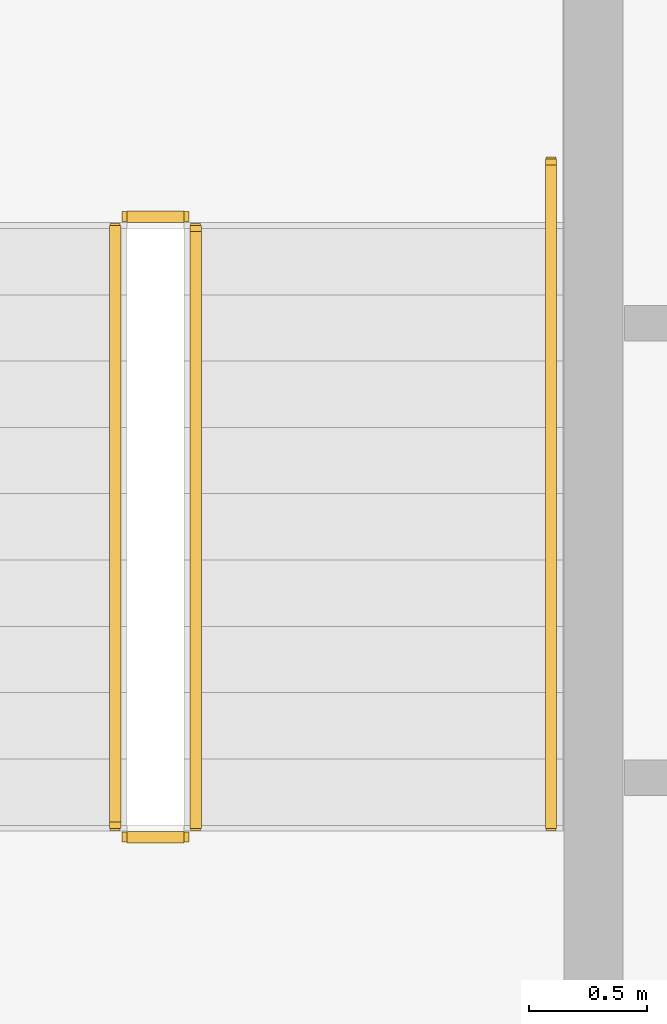
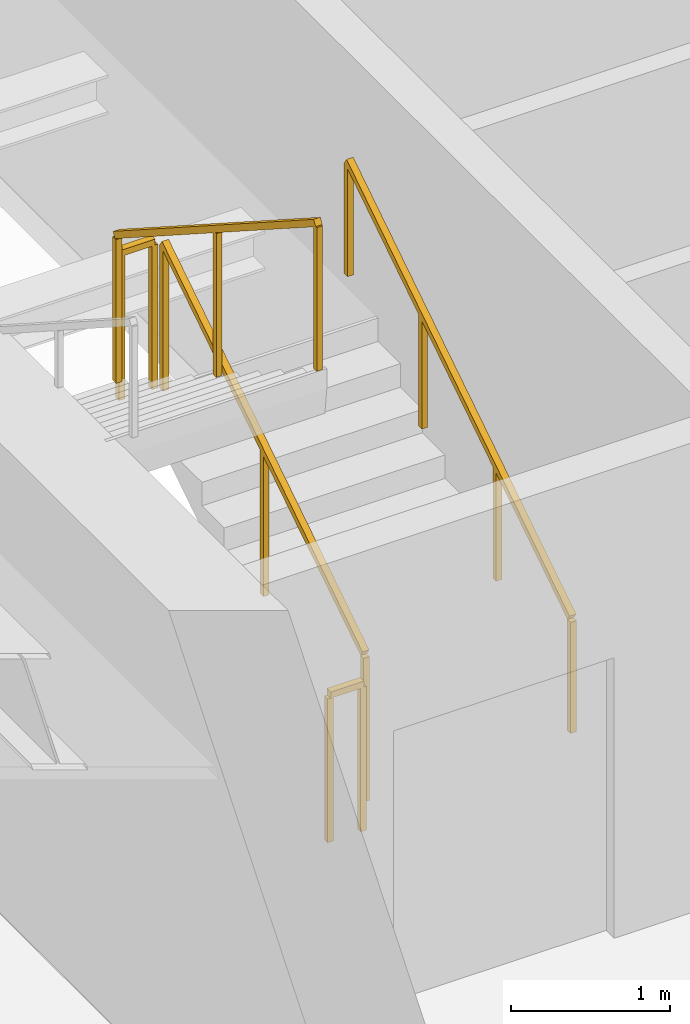
# One storey, part 25 of 28: 5 railings.
"""IFC4 building model written with IfcOpenShell, lengths in metres."""

from ifc_helpers import new_model, si_unit, direction, frame, origin, origin_2d, place, context, subcontext, project, spatial, rectangle, extrude, material, type_object, element, save


model = new_model("IFC4")

# Units and contexts
model_context = context("Model", 3, precision=1e-05, world=origin(), true_north=direction((0.0, 1.0)))
body_context = subcontext(model_context, "Body", "Model", "MODEL_VIEW")
ifc_project = project(units=[si_unit("LENGTHUNIT", "METRE"), si_unit("AREAUNIT", "SQUARE_METRE"), si_unit("VOLUMEUNIT", "CUBIC_METRE"), si_unit("PLANEANGLEUNIT", "RADIAN"), si_unit("MASSUNIT", "GRAM", prefix="KILO")], contexts=[model_context])

# Site, building, storey
site_placement = place(None, origin())
site = spatial("IfcSite", under=ifc_project, at=site_placement, CompositionType="ELEMENT")
building_placement = place(site_placement, origin())
building = spatial("IfcBuilding", under=site, at=building_placement, Name="Sumidabori Civic Tower", CompositionType="ELEMENT")
storey_placement = place(building_placement, frame((0.0, 0.0, 178.39990234375)))
storey = spatial("IfcBuildingStorey", under=building, at=storey_placement, Name="L46", CompositionType="ELEMENT", Elevation=178.39990234375)

# Railings
ifc_material_1 = material(Name="Stainless Steel Hairline Finish", Category="steel")
railing_type_1 = type_object("IfcRailingType", Name="RL-HANDRAIL", PredefinedType="HANDRAIL", material=ifc_material_1)
railing_1_placement = place(storey_placement, frame((-11.949951171875, 16.0, 0.18017578125)))
element("IfcRailing", 1, at=railing_1_placement, inside=storey, type_object=railing_type_1, Name="L46 ST-1 stair handrail 1", PredefinedType="HANDRAIL", context=body_context, shape_type="SweptSolid", body=[
    extrude(rectangle(XDim=0.048095703125, YDim=0.048095703125, at=origin_2d()), frame((0.0, 0.0, 0.8759765625), z_axis=(0.0, 0.840675598268, 0.541539046124), x_axis=(-1.0, 0.0, 0.0)), (0.0, 0.0, 1.0), 3.330810546875),
    extrude(rectangle(XDim=0.0419921875, YDim=0.0419921875, at=origin_2d()), origin(), (0.0, 0.0, 1.0), 0.851806640625),
    extrude(rectangle(XDim=0.0419921875, YDim=0.0419921875, at=origin_2d()), frame((0.0, 0.933349609375, 0.601318359375)), (0.0, 0.0, 1.0), 0.851806640625),
    extrude(rectangle(XDim=0.0419921875, YDim=0.0419921875, at=origin_2d()), frame((0.0, 1.86669921875, 1.202392578125)), (0.0, 0.0, 1.0), 0.851806640625),
    extrude(rectangle(XDim=0.0419921875, YDim=0.0419921875, at=origin_2d()), frame((0.0, 2.800048828125, 1.8037109375)), (0.0, 0.0, 1.0), 0.851806640625),
])
ifc_material_2 = material(Name="Steel SN490", Category="steel")
railing_type_2 = type_object("IfcRailingType", Name="RL-STAIR-GUARD", PredefinedType="GUARDRAIL", material=ifc_material_2)
railing_2_placement = place(storey_placement, frame((-13.449951171875, 16.0, 0.18017578125)))
element("IfcRailing", 2, at=railing_2_placement, inside=storey, type_object=railing_type_2, Name="L46 ST-1 stair guard 1", PredefinedType="GUARDRAIL", context=body_context, shape_type="SweptSolid", body=[
    extrude(rectangle(XDim=0.048095703125, YDim=0.048095703125, at=origin_2d()), frame((0.0, 0.0, 1.1259765625), z_axis=(0.0, 0.841199657755, 0.540724639528), x_axis=(-1.0, 0.0, 0.0)), (0.0, 0.0, 1.0), 2.995849609375),
    extrude(rectangle(XDim=0.0419921875, YDim=0.0419921875, at=origin_2d()), origin(), (0.0, 0.0, 1.0), 1.101806640625),
    extrude(rectangle(XDim=0.0419921875, YDim=0.0419921875, at=origin_2d()), frame((0.0, 1.260009765625, 0.81005859375)), (0.0, 0.0, 1.0), 1.101806640625),
    extrude(rectangle(XDim=0.0419921875, YDim=0.0419921875, at=origin_2d()), frame((0.0, 2.52001953125, 1.619873046875)), (0.0, 0.0, 1.0), 1.101806640625),
])
railing_3_placement = place(storey_placement, frame((-13.5, 18.570068359375, 1.800048828125)))
element("IfcRailing", 3, at=railing_3_placement, inside=storey, type_object=railing_type_2, Name="L46 ST-1 stair guard 2", PredefinedType="GUARDRAIL", context=body_context, shape_type="SweptSolid", body=[
    extrude(rectangle(XDim=0.048095703125, YDim=0.048095703125, at=origin_2d()), frame((0.0, 0.0, 1.1259765625), z_axis=(-1.0, 0.0, 0.0), x_axis=(0.0, -1.0, 0.0)), (0.0, 0.0, 1.0), 0.239990234375),
    extrude(rectangle(XDim=0.0419921875, YDim=0.0419921875, at=origin_2d()), origin(), (0.0, 0.0, 1.0), 1.101806640625),
    extrude(rectangle(XDim=0.0419921875, YDim=0.0419921875, at=origin_2d()), frame((-0.239990234375, 0.0, 0.0)), (0.0, 0.0, 1.0), 1.101806640625),
])
railing_4_placement = place(storey_placement, frame((-13.7900390625, 18.52001953125, 1.97998046875)))
element("IfcRailing", 4, at=railing_4_placement, inside=storey, type_object=railing_type_2, Name="L46 ST-1 stair guard 3", PredefinedType="GUARDRAIL", context=body_context, shape_type="SweptSolid", body=[
    extrude(rectangle(XDim=0.048095703125, YDim=0.048095703125, at=origin_2d()), frame((0.0, 0.0, 1.1259765625), z_axis=(0.0, -0.841162588446, 0.540782303519), x_axis=(1.0, 0.0, 0.0)), (0.0, 0.0, 1.0), 2.995849609375),
    extrude(rectangle(XDim=0.0419921875, YDim=0.0419921875, at=origin_2d()), origin(), (0.0, 0.0, 1.0), 1.101806640625),
    extrude(rectangle(XDim=0.0419921875, YDim=0.0419921875, at=origin_2d()), frame((0.0, -1.260009765625, 0.81005859375)), (0.0, 0.0, 1.0), 1.101806640625),
    extrude(rectangle(XDim=0.0419921875, YDim=0.0419921875, at=origin_2d()), frame((0.0, -2.52001953125, 1.6201171875)), (0.0, 0.0, 1.0), 1.101806640625),
])
railing_5_placement = place(storey_placement, frame((-13.5, 15.949951171875, 0.0)))
element("IfcRailing", 5, at=railing_5_placement, inside=storey, type_object=railing_type_2, Name="L46 ST-1 stair guard 4", PredefinedType="GUARDRAIL", context=body_context, shape_type="SweptSolid", body=[
    extrude(rectangle(XDim=0.048095703125, YDim=0.048095703125, at=origin_2d()), frame((0.0, 0.0, 1.1259765625), z_axis=(-1.0, 0.0, 0.0), x_axis=(0.0, -1.0, 0.0)), (0.0, 0.0, 1.0), 0.239990234375),
    extrude(rectangle(XDim=0.0419921875, YDim=0.0419921875, at=origin_2d()), origin(), (0.0, 0.0, 1.0), 1.101806640625),
    extrude(rectangle(XDim=0.0419921875, YDim=0.0419921875, at=origin_2d()), frame((-0.239990234375, 0.0, 0.0)), (0.0, 0.0, 1.0), 1.101806640625),
])

save(model, "model.ifc")
